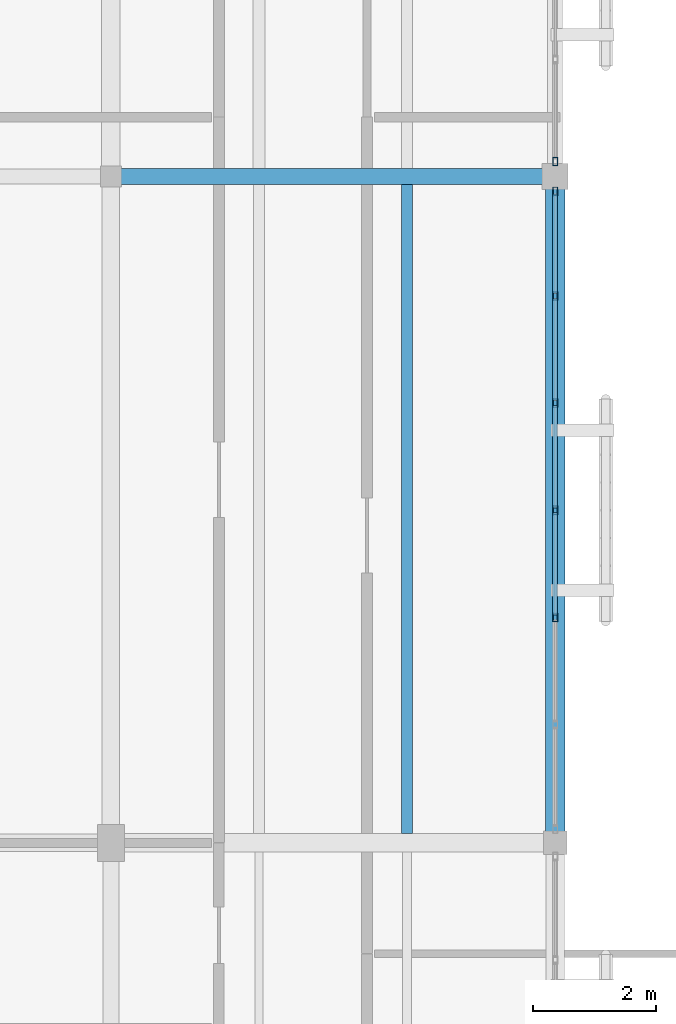
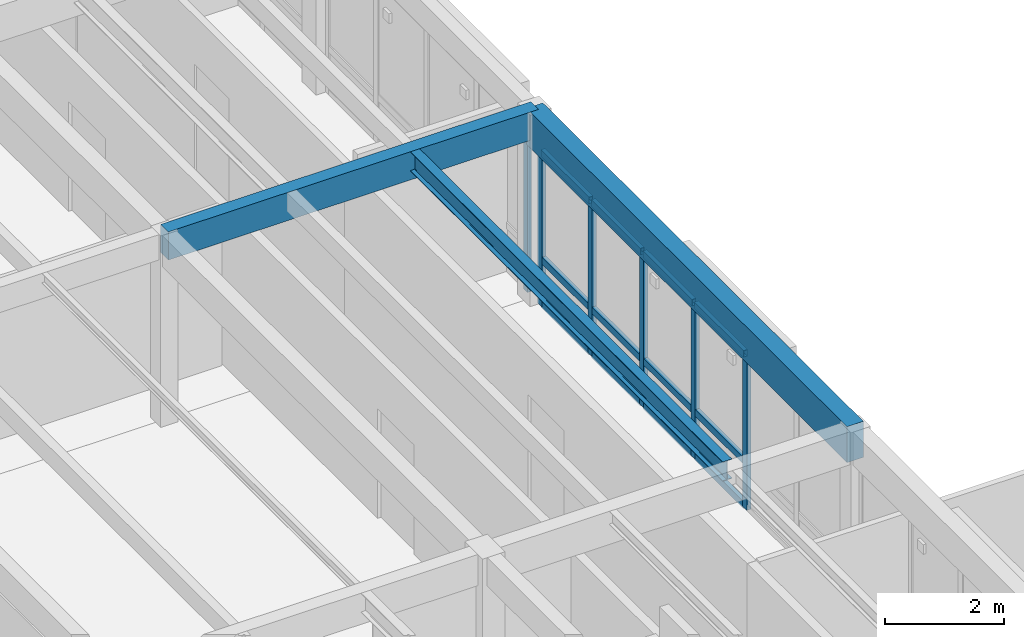
# One storey, part 19 of 61: 18 members, 3 beams, 2 elements without a shape of their own.
"""IFC4 building model written with IfcOpenShell, lengths in metres."""

from ifc_helpers import new_model, si_unit, direction, frame, origin, origin_2d, place, context, subcontext, project, spatial, rectangle, hollow_rectangle, i_section, extrude, material, layer, layer_set, material_profile, profile_set, type_object, element, aggregate, save


model = new_model("IFC4")

# Units and contexts
model_context = context("Model", 3, precision=1e-05, world=origin(), true_north=direction((0.0, 1.0)))
body_context = subcontext(model_context, "Body", "Model", "MODEL_VIEW")
ifc_project = project(units=[si_unit("LENGTHUNIT", "METRE"), si_unit("AREAUNIT", "SQUARE_METRE"), si_unit("VOLUMEUNIT", "CUBIC_METRE"), si_unit("PLANEANGLEUNIT", "RADIAN"), si_unit("MASSUNIT", "GRAM", prefix="KILO")], contexts=[model_context])

# Site, building, storey
site_placement = place(None, origin())
site = spatial("IfcSite", under=ifc_project, at=site_placement, CompositionType="ELEMENT")
building_placement = place(site_placement, origin())
building = spatial("IfcBuilding", under=site, at=building_placement, Name="Mazaris Harbour Polytechnic", CompositionType="ELEMENT")
storey_placement = place(building_placement, frame((0.0, 0.0, 18.0)))
storey = spatial("IfcBuildingStorey", under=building, at=storey_placement, Name="L04", CompositionType="ELEMENT", Elevation=18.0)

# Curtain wall, members
ifc_material_1 = material(Name="Anodised Bronze Aluminium and Low-E Glass", Category="aluminium")
ifc_layer = layer(ifc_material_1, 0.159912109375, Name="Anodised Bronze Aluminium and Low-E Glass")
ifc_layer_set = layer_set([ifc_layer], Name="Anodised Bronze Aluminium and Low-E Glass")
curtain_wall_type = type_object("IfcCurtainWallType", Name="Cloister Court Curtain Wall", PredefinedType="NOTDEFINED", material=ifc_layer_set)
curtain_wall_1_placement = place(storey_placement, origin())
curtain_wall_1 = element("IfcCurtainWall", 1, at=curtain_wall_1_placement, inside=storey, type_object=curtain_wall_type, Name="V4 L04 Curtain Wall 172", PredefinedType="NOTDEFINED")
ifc_material_2 = material(Name="Anodised Bronze Steel S355", Category="steel")
ifc_material_profile_1 = material_profile(ifc_material_2, hollow_rectangle(XDim=0.080078125, YDim=0.139892578125, WallThickness=0.00634765625, at=origin_2d()), Name="RHS 80x140x6.3")
ifc_profile_set_1 = profile_set([ifc_material_profile_1], Name="Anodised Bronze Steel S355")
member_type_1 = type_object("IfcMemberType", Name="Curtain Mullion RHS80x140", PredefinedType="MULLION", material=ifc_profile_set_1)
member_1_placement = place(storey_placement, frame((14.39990234375, 46.85400390625, 0.0), z_axis=(0.0, 0.0, 1.0), x_axis=(-1.0, 0.0, 0.0)))
member_1 = element("IfcMember", 2, at=member_1_placement, type_object=member_type_1, Name="CW-02 mullion 3", PredefinedType="MULLION", context=body_context, shape_type="SweptSolid", body=[
    extrude(hollow_rectangle(XDim=0.080078125, YDim=0.139892578125, WallThickness=0.00634765625, at=origin_2d()), origin(), (0.0, 0.0, 1.0), 3.18505859375),
])
member_2_placement = place(storey_placement, frame((14.39990234375, 48.590087890625, 0.0), z_axis=(0.0, 0.0, 1.0), x_axis=(-1.0, 0.0, 0.0)))
member_2 = element("IfcMember", 3, at=member_2_placement, type_object=member_type_1, Name="CW-02 mullion 4", PredefinedType="MULLION", context=body_context, shape_type="SweptSolid", body=[
    extrude(hollow_rectangle(XDim=0.080078125, YDim=0.139892578125, WallThickness=0.00634765625, at=origin_2d()), origin(), (0.0, 0.0, 1.0), 3.18505859375),
])
member_3_placement = place(storey_placement, frame((14.39990234375, 50.325927734375, 0.0), z_axis=(0.0, 0.0, 1.0), x_axis=(-1.0, 0.0, 0.0)))
member_3 = element("IfcMember", 4, at=member_3_placement, type_object=member_type_1, Name="CW-02 mullion 5", PredefinedType="MULLION", context=body_context, shape_type="SweptSolid", body=[
    extrude(hollow_rectangle(XDim=0.080078125, YDim=0.139892578125, WallThickness=0.00634765625, at=origin_2d()), origin(), (0.0, 0.0, 1.0), 3.18505859375),
])
member_4_placement = place(storey_placement, frame((14.39990234375, 52.06201171875, 0.0), z_axis=(0.0, 0.0, 1.0), x_axis=(-1.0, 0.0, 0.0)))
member_4 = element("IfcMember", 5, at=member_4_placement, type_object=member_type_1, Name="CW-02 mullion 6", PredefinedType="MULLION", context=body_context, shape_type="SweptSolid", body=[
    extrude(hollow_rectangle(XDim=0.080078125, YDim=0.139892578125, WallThickness=0.00634765625, at=origin_2d()), origin(), (0.0, 0.0, 1.0), 3.18505859375),
])
member_5_placement = place(storey_placement, frame((14.39990234375, 53.758056640625, 0.0), z_axis=(0.0, 0.0, 1.0), x_axis=(-1.0, 0.0, 0.0)))
member_5 = element("IfcMember", 6, at=member_5_placement, type_object=member_type_1, Name="CW-02 mullion 7", PredefinedType="MULLION", context=body_context, shape_type="SweptSolid", body=[
    extrude(hollow_rectangle(XDim=0.080078125, YDim=0.139892578125, WallThickness=0.00634765625, at=origin_2d()), origin(), (0.0, 0.0, 1.0), 3.18505859375),
])

# Curtain wall, member
curtain_wall_2_placement = place(storey_placement, origin())
curtain_wall_2 = element("IfcCurtainWall", 7, at=curtain_wall_2_placement, inside=storey, type_object=curtain_wall_type, Name="V4 L04 Curtain Wall 173", PredefinedType="NOTDEFINED")
member_6_placement = place(storey_placement, frame((14.39990234375, 54.241943359375, 0.0), z_axis=(0.0, 0.0, 1.0), x_axis=(-1.0, 0.0, 0.0)))
member_6 = element("IfcMember", 8, at=member_6_placement, type_object=member_type_1, Name="CW-02 mullion 1", PredefinedType="MULLION", context=body_context, shape_type="SweptSolid", body=[
    extrude(hollow_rectangle(XDim=0.080078125, YDim=0.139892578125, WallThickness=0.00634765625, at=origin_2d()), origin(), (0.0, 0.0, 1.0), 3.405029296875),
])
aggregate(curtain_wall_2, [member_6])

# Member
ifc_material_3 = material(Name="Anodised Bronze Steel S355", Category="steel")
ifc_material_profile_2 = material_profile(ifc_material_3, hollow_rectangle(XDim=0.080078125, YDim=0.139892578125, WallThickness=0.00634765625, at=origin_2d()), Name="RHS 80x140x6.3")
ifc_profile_set_2 = profile_set([ifc_material_profile_2], Name="Anodised Bronze Steel S355")
member_type_2 = type_object("IfcMemberType", Name="Curtain Transom RHS80x140", PredefinedType="USERDEFINED", material=ifc_profile_set_2)
member_7_placement = place(storey_placement, frame((14.39990234375, 46.89404296875, 0.0400390625), z_axis=(0.0, 1.0, 0.0), x_axis=(-1.0, 0.0, 0.0)))
member_7 = element("IfcMember", 9, at=member_7_placement, type_object=member_type_2, Name="CW-02 transom 3.1", ObjectType="TRANSOM", PredefinedType="USERDEFINED", context=body_context, shape_type="SweptSolid", body=[
    extrude(hollow_rectangle(XDim=0.080078125, YDim=0.139892578125, WallThickness=0.00634765625, at=origin_2d()), origin(), (0.0, 0.0, 1.0), 1.656005859375),
])

member_8_placement = place(storey_placement, frame((14.39990234375, 46.89404296875, 0.949951171875), z_axis=(0.0, 1.0, 0.0), x_axis=(-1.0, 0.0, 0.0)))
member_8 = element("IfcMember", 10, at=member_8_placement, type_object=member_type_2, Name="CW-02 transom 3.2", ObjectType="TRANSOM", PredefinedType="USERDEFINED", context=body_context, shape_type="SweptSolid", body=[
    extrude(hollow_rectangle(XDim=0.080078125, YDim=0.139892578125, WallThickness=0.00634765625, at=origin_2d()), origin(), (0.0, 0.0, 1.0), 1.656005859375),
])

member_9_placement = place(storey_placement, frame((14.39990234375, 46.89404296875, 3.14501953125), z_axis=(0.0, 1.0, 0.0), x_axis=(-1.0, 0.0, 0.0)))
member_9 = element("IfcMember", 11, at=member_9_placement, type_object=member_type_2, Name="CW-02 transom 3.3", ObjectType="TRANSOM", PredefinedType="USERDEFINED", context=body_context, shape_type="SweptSolid", body=[
    extrude(hollow_rectangle(XDim=0.080078125, YDim=0.139892578125, WallThickness=0.00634765625, at=origin_2d()), origin(), (0.0, 0.0, 1.0), 1.656005859375),
])

member_10_placement = place(storey_placement, frame((14.39990234375, 48.6298828125, 0.0400390625), z_axis=(0.0, 1.0, 0.0), x_axis=(-1.0, 0.0, 0.0)))
member_10 = element("IfcMember", 12, at=member_10_placement, type_object=member_type_2, Name="CW-02 transom 4.1", ObjectType="TRANSOM", PredefinedType="USERDEFINED", context=body_context, shape_type="SweptSolid", body=[
    extrude(hollow_rectangle(XDim=0.080078125, YDim=0.139892578125, WallThickness=0.00634765625, at=origin_2d()), origin(), (0.0, 0.0, 1.0), 1.656005859375),
])

member_11_placement = place(storey_placement, frame((14.39990234375, 48.6298828125, 0.949951171875), z_axis=(0.0, 1.0, 0.0), x_axis=(-1.0, 0.0, 0.0)))
member_11 = element("IfcMember", 13, at=member_11_placement, type_object=member_type_2, Name="CW-02 transom 4.2", ObjectType="TRANSOM", PredefinedType="USERDEFINED", context=body_context, shape_type="SweptSolid", body=[
    extrude(hollow_rectangle(XDim=0.080078125, YDim=0.139892578125, WallThickness=0.00634765625, at=origin_2d()), origin(), (0.0, 0.0, 1.0), 1.656005859375),
])

member_12_placement = place(storey_placement, frame((14.39990234375, 48.6298828125, 3.14501953125), z_axis=(0.0, 1.0, 0.0), x_axis=(-1.0, 0.0, 0.0)))
member_12 = element("IfcMember", 14, at=member_12_placement, type_object=member_type_2, Name="CW-02 transom 4.3", ObjectType="TRANSOM", PredefinedType="USERDEFINED", context=body_context, shape_type="SweptSolid", body=[
    extrude(hollow_rectangle(XDim=0.080078125, YDim=0.139892578125, WallThickness=0.00634765625, at=origin_2d()), origin(), (0.0, 0.0, 1.0), 1.656005859375),
])

member_13_placement = place(storey_placement, frame((14.39990234375, 50.365966796875, 0.0400390625), z_axis=(0.0, 1.0, 0.0), x_axis=(-1.0, 0.0, 0.0)))
member_13 = element("IfcMember", 15, at=member_13_placement, type_object=member_type_2, Name="CW-02 transom 5.1", ObjectType="TRANSOM", PredefinedType="USERDEFINED", context=body_context, shape_type="SweptSolid", body=[
    extrude(hollow_rectangle(XDim=0.080078125, YDim=0.139892578125, WallThickness=0.00634765625, at=origin_2d()), origin(), (0.0, 0.0, 1.0), 1.656005859375),
])

member_14_placement = place(storey_placement, frame((14.39990234375, 50.365966796875, 0.949951171875), z_axis=(0.0, 1.0, 0.0), x_axis=(-1.0, 0.0, 0.0)))
member_14 = element("IfcMember", 16, at=member_14_placement, type_object=member_type_2, Name="CW-02 transom 5.2", ObjectType="TRANSOM", PredefinedType="USERDEFINED", context=body_context, shape_type="SweptSolid", body=[
    extrude(hollow_rectangle(XDim=0.080078125, YDim=0.139892578125, WallThickness=0.00634765625, at=origin_2d()), origin(), (0.0, 0.0, 1.0), 1.656005859375),
])

member_15_placement = place(storey_placement, frame((14.39990234375, 50.365966796875, 3.14501953125), z_axis=(0.0, 1.0, 0.0), x_axis=(-1.0, 0.0, 0.0)))
member_15 = element("IfcMember", 17, at=member_15_placement, type_object=member_type_2, Name="CW-02 transom 5.3", ObjectType="TRANSOM", PredefinedType="USERDEFINED", context=body_context, shape_type="SweptSolid", body=[
    extrude(hollow_rectangle(XDim=0.080078125, YDim=0.139892578125, WallThickness=0.00634765625, at=origin_2d()), origin(), (0.0, 0.0, 1.0), 1.656005859375),
])

member_16_placement = place(storey_placement, frame((14.39990234375, 52.10205078125, 0.0400390625), z_axis=(0.0, 1.0, 0.0), x_axis=(-1.0, 0.0, 0.0)))
member_16 = element("IfcMember", 18, at=member_16_placement, type_object=member_type_2, Name="CW-02 transom 6.1", ObjectType="TRANSOM", PredefinedType="USERDEFINED", context=body_context, shape_type="SweptSolid", body=[
    extrude(hollow_rectangle(XDim=0.080078125, YDim=0.139892578125, WallThickness=0.00634765625, at=origin_2d()), origin(), (0.0, 0.0, 1.0), 1.615966796875),
])

member_17_placement = place(storey_placement, frame((14.39990234375, 52.10205078125, 0.949951171875), z_axis=(0.0, 1.0, 0.0), x_axis=(-1.0, 0.0, 0.0)))
member_17 = element("IfcMember", 19, at=member_17_placement, type_object=member_type_2, Name="CW-02 transom 6.2", ObjectType="TRANSOM", PredefinedType="USERDEFINED", context=body_context, shape_type="SweptSolid", body=[
    extrude(hollow_rectangle(XDim=0.080078125, YDim=0.139892578125, WallThickness=0.00634765625, at=origin_2d()), origin(), (0.0, 0.0, 1.0), 1.615966796875),
])

member_18_placement = place(storey_placement, frame((14.39990234375, 52.10205078125, 3.14501953125), z_axis=(0.0, 1.0, 0.0), x_axis=(-1.0, 0.0, 0.0)))
member_18 = element("IfcMember", 20, at=member_18_placement, type_object=member_type_2, Name="CW-02 transom 6.3", ObjectType="TRANSOM", PredefinedType="USERDEFINED", context=body_context, shape_type="SweptSolid", body=[
    extrude(hollow_rectangle(XDim=0.080078125, YDim=0.139892578125, WallThickness=0.00634765625, at=origin_2d()), origin(), (0.0, 0.0, 1.0), 1.615966796875),
])

aggregate(curtain_wall_1, [member_1, member_2, member_3, member_4, member_5, member_7, member_8, member_9, member_10, member_11, member_12, member_13, member_14, member_15, member_16, member_17, member_18])

# Beams
ifc_material_4 = material(Name="Glulam GL32h", Category="wood")
ifc_material_profile_3 = material_profile(ifc_material_4, rectangle(XDim=0.260009765625, YDim=0.580078125, at=origin_2d()), Name="RECT260x580")
ifc_profile_set_3 = profile_set([ifc_material_profile_3], Name="Glulam GL32h")
beam_type_1 = type_object("IfcBeamType", Name="Glulam Girder 260x580", PredefinedType="BEAM", material=ifc_profile_set_3)
beam_1_placement = place(storey_placement, frame((7.199951171875, 54.0, 3.64501953125), z_axis=(1.0, 0.0, 0.0), x_axis=(0.0, 1.0, 0.0)))
element("IfcBeam", 21, at=beam_1_placement, inside=storey, type_object=beam_type_1, Name="V4 L04 Girder 2391", PredefinedType="BEAM", context=body_context, shape_type="SweptSolid", body=[
    extrude(rectangle(XDim=0.260009765625, YDim=0.580078125, at=origin_2d()), origin(), (0.0, 0.0, 1.0), 7.199951171875),
])
ifc_material_5 = material(Name="Glulam GL32h", Category="wood")
ifc_material_profile_4 = material_profile(ifc_material_5, rectangle(XDim=0.320068359375, YDim=0.739990234375, at=origin_2d()), Name="RECT320x740")
ifc_profile_set_4 = profile_set([ifc_material_profile_4], Name="Glulam GL32h")
beam_type_2 = type_object("IfcBeamType", Name="Glulam Girder 320x740", PredefinedType="BEAM", material=ifc_profile_set_4)
beam_2_placement = place(storey_placement, frame((14.39990234375, 43.199951171875, 3.56494140625), z_axis=(0.0, 1.0, 0.0), x_axis=(-1.0, 0.0, 0.0)))
element("IfcBeam", 22, at=beam_2_placement, inside=storey, type_object=beam_type_2, Name="V4 L04 Tie Girder 2414", PredefinedType="BEAM", context=body_context, shape_type="SweptSolid", body=[
    extrude(rectangle(XDim=0.320068359375, YDim=0.739990234375, at=origin_2d()), origin(), (0.0, 0.0, 1.0), 10.800048828125),
])
ifc_material_6 = material(Name="Steel S355", Category="steel")
ifc_material_profile_5 = material_profile(ifc_material_6, i_section(OverallWidth=0.179931640625, OverallDepth=0.39990234375, WebThickness=0.008544921875, FlangeThickness=0.013427734375, FilletRadius=0.02099609375, at=origin_2d()), Name="IPE 400")
ifc_profile_set_5 = profile_set([ifc_material_profile_5], Name="Steel S355")
beam_type_3 = type_object("IfcBeamType", Name="Steel Joist IPE400", PredefinedType="JOIST", material=ifc_profile_set_5)
beam_3_placement = place(storey_placement, frame((12.0, 43.35009765625, 3.735107421875), z_axis=(0.0, 1.0, 0.0), x_axis=(-1.0, 0.0, 0.0)))
element("IfcBeam", 23, at=beam_3_placement, inside=storey, type_object=beam_type_3, Name="V4 L04 Floor Joist 2455", PredefinedType="JOIST", context=body_context, shape_type="SweptSolid", body=[
    extrude(i_section(OverallWidth=0.179931640625, OverallDepth=0.39990234375, WebThickness=0.008544921875, FlangeThickness=0.013427734375, FilletRadius=0.02099609375, at=origin_2d()), origin(), (0.0, 0.0, 1.0), 10.52001953125),
])

save(model, "model.ifc")
